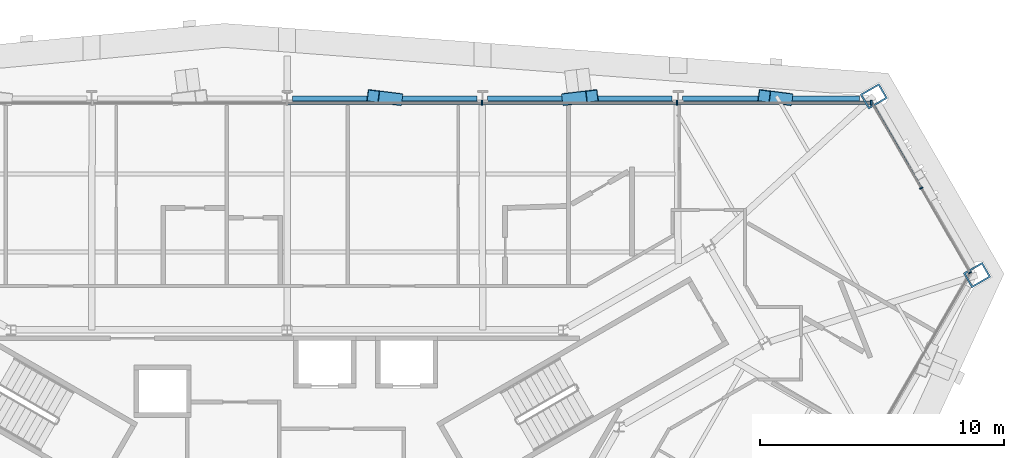
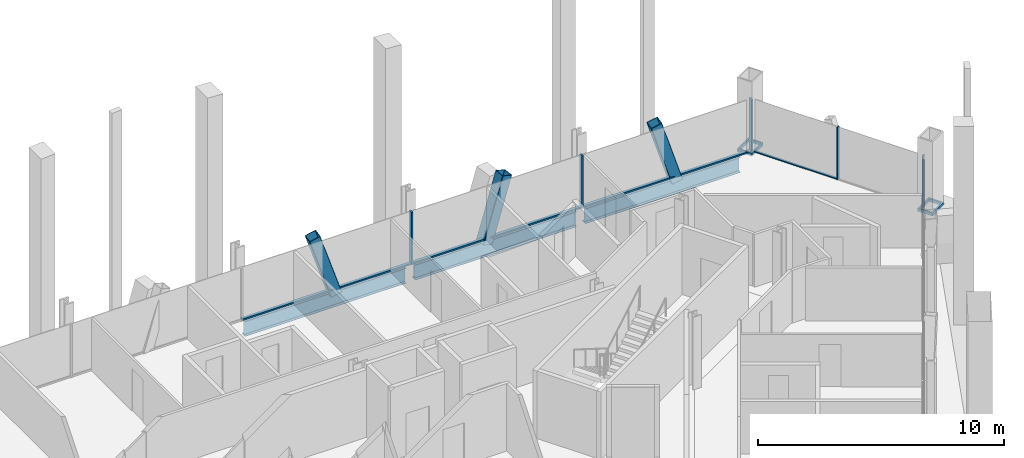
# One storey, part 8 of 16: 14 members, 3 beams, 2 elements without a shape of their own.
"""IFC4 building model written with IfcOpenShell, lengths in metres."""

from ifc_helpers import new_model, si_unit, direction, frame, origin, origin_2d, place, context, subcontext, project, spatial, rectangle, hollow_rectangle, i_section, extrude, material, material_profile, profile_set, type_object, element, aggregate, save


model = new_model("IFC4")

# Units and contexts
model_context = context("Model", 3, precision=1e-05, world=origin(), true_north=direction((0.0, 1.0)))
body_context = subcontext(model_context, "Body", "Model", "MODEL_VIEW")
ifc_project = project(units=[si_unit("LENGTHUNIT", "METRE"), si_unit("AREAUNIT", "SQUARE_METRE"), si_unit("VOLUMEUNIT", "CUBIC_METRE"), si_unit("PLANEANGLEUNIT", "RADIAN"), si_unit("MASSUNIT", "GRAM", prefix="KILO")], contexts=[model_context])

# Site, building, storey
site_placement = place(None, origin())
site = spatial("IfcSite", under=ifc_project, at=site_placement, CompositionType="ELEMENT")
building_placement = place(site_placement, origin())
building = spatial("IfcBuilding", under=site, at=building_placement, Name="Verrane Prism Tower", CompositionType="ELEMENT")
storey_placement = place(building_placement, frame((0.0, 0.0, 103.60009765625)))
storey = spatial("IfcBuildingStorey", under=building, at=storey_placement, Name="L24", CompositionType="ELEMENT", Elevation=103.60009765625)

# Members
ifc_material_1 = material(Name="Steel A1085 Grade A", Category="steel")
ifc_material_profile_1 = material_profile(ifc_material_1, hollow_rectangle(XDim=0.508056640625, YDim=0.508056640625, WallThickness=0.025390625, InnerFilletRadius=0.0126953125, OuterFilletRadius=0.0380859375, at=origin_2d()), Name="HSS20x20x1")
ifc_profile_set_1 = profile_set([ifc_material_profile_1], Name="Steel A1085 Grade A")
member_type_1 = type_object("IfcMemberType", Name="Facade brace HSS20x20x1", PredefinedType="BRACE", material=ifc_profile_set_1)
member_1_placement = place(storey_placement, frame((20.48046875, 18.67138671875, -0.24267578125), z_axis=(-0.289257893445, 0.037729290449, 0.956507381948), x_axis=(-0.129339184068, -0.991600411186, 0.0)))
element("IfcMember", 1, at=member_1_placement, inside=storey, type_object=member_type_1, Name="Facade brace N0 L24", PredefinedType="BRACE", context=body_context, shape_type="SweptSolid", body=[
    extrude(hollow_rectangle(XDim=0.508056640625, YDim=0.508056640625, WallThickness=0.025390625, InnerFilletRadius=0.0126953125, OuterFilletRadius=0.0380859375, at=origin_2d()), origin(), (0.0, 0.0, 1.0), 3.144775390625),
])
member_2_placement = place(storey_placement, frame((11.5224609375, 18.67138671875, -0.24267578125), z_axis=(0.310589004473, 0.037464943205, 0.949805689776), x_axis=(-0.119757347049, 0.99280319189, 0.0)))
element("IfcMember", 2, at=member_2_placement, inside=storey, type_object=member_type_1, Name="Facade brace N1 L24", PredefinedType="BRACE", context=body_context, shape_type="SweptSolid", body=[
    extrude(hollow_rectangle(XDim=0.508056640625, YDim=0.508056640625, WallThickness=0.025390625, InnerFilletRadius=0.0126953125, OuterFilletRadius=0.0380859375, at=origin_2d()), origin(), (0.0, 0.0, 1.0), 3.1669921875),
])
member_3_placement = place(storey_placement, frame((4.47705078125, 18.67138671875, -0.24267578125), z_axis=(-0.300014893604, 0.037598565831, 0.953193270782), x_axis=(-0.124349637206, -0.992238463136, 0.0)))
element("IfcMember", 3, at=member_3_placement, inside=storey, type_object=member_type_1, Name="Facade brace N2 L24", PredefinedType="BRACE", context=body_context, shape_type="SweptSolid", body=[
    extrude(hollow_rectangle(XDim=0.508056640625, YDim=0.508056640625, WallThickness=0.025390625, InnerFilletRadius=0.0126953125, OuterFilletRadius=0.0380859375, at=origin_2d()), origin(), (0.0, 0.0, 1.0), 3.15576171875),
])
ifc_material_2 = material(Name="Steel A572 Grade 50", Category="steel")
ifc_material_profile_2 = material_profile(ifc_material_2, hollow_rectangle(XDim=0.699951171875, YDim=0.89990234375, WallThickness=0.06494140625, at=origin_2d()), Name="BOX 900x700x65")
ifc_profile_set_2 = profile_set([ifc_material_profile_2], Name="Steel A572 Grade 50")
member_type_2 = type_object("IfcMemberType", Name="Kink node BOX 900x700x65", PredefinedType="COLLAR", material=ifc_profile_set_2)
for number, where, z_axis, x_axis, name in (
    (4, (28.301513671875, 11.449951171875, -0.0751953125), (0.0, 0.0, 1.0), (0.5, -0.866025403784, 0.0), "Kink node MC3 L24"),
    (5, (24.06591796875, 18.78271484375, -0.0751953125), (0.0, 0.0, 1.0), (0.5, -0.866025403784, 0.0), "Kink node MC3 L24"),
):
    element("IfcMember", number, at=place(storey_placement, frame(where, z_axis=z_axis, x_axis=x_axis)), inside=storey, type_object=member_type_2, Name=name, PredefinedType="COLLAR", context=body_context, shape_type="SweptSolid", body=[
        extrude(hollow_rectangle(XDim=0.699951171875, YDim=0.89990234375, WallThickness=0.06494140625, at=origin_2d()), origin(), (0.0, 0.0, 1.0), 0.150146484375),
    ])

# Curtain wall, members
ifc_material_3 = material(Name="Aluminium framed insulated glazing", Category="aluminium")
curtain_wall_type_1 = type_object("IfcCurtainWallType", Name="Curtain wall CW-C 4200 module", PredefinedType="NOTDEFINED", material=ifc_material_3)
curtain_wall_1_placement = place(storey_placement, origin())
curtain_wall_1 = element("IfcCurtainWall", 6, at=curtain_wall_1_placement, inside=storey, type_object=curtain_wall_type_1, Name="Glazed curtain wall north-east corner L24", PredefinedType="NOTDEFINED")
ifc_material_4 = material(Name="Aluminium alloy 6063-T6", Category="aluminium")
ifc_material_profile_3 = material_profile(ifc_material_4, rectangle(XDim=0.139892578125, YDim=0.050048828125, at=origin_2d()), Name="Mullion 50x140 aluminium")
ifc_profile_set_3 = profile_set([ifc_material_profile_3], Name="Aluminium alloy 6063-T6")
member_type_3 = type_object("IfcMemberType", Name="Mullion 50x140 aluminium", PredefinedType="MULLION", material=ifc_profile_set_3)
member_4_placement = place(storey_placement, frame((28.015380859375, 11.545654296875, 0.0), z_axis=(0.0, 0.0, 1.0), x_axis=(-0.866027890405, -0.499995693021, 0.0)))
member_4 = element("IfcMember", 7, at=member_4_placement, type_object=member_type_3, Name="CW24.1 mullion 1", PredefinedType="MULLION", context=body_context, shape_type="SweptSolid", body=[
    extrude(rectangle(XDim=0.139892578125, YDim=0.050048828125, at=origin_2d()), origin(), (0.0, 0.0, 1.0), 2.61279296875),
])
member_5_placement = place(storey_placement, frame((26.010986328125, 15.017578125, 0.0), z_axis=(0.0, 0.0, 1.0), x_axis=(-0.866027890405, -0.499995693021, 0.0)))
member_5 = element("IfcMember", 8, at=member_5_placement, type_object=member_type_3, Name="CW24.1 mullion 2", PredefinedType="MULLION", context=body_context, shape_type="SweptSolid", body=[
    extrude(rectangle(XDim=0.139892578125, YDim=0.050048828125, at=origin_2d()), origin(), (0.0, 0.0, 1.0), 2.61279296875),
])

ifc_material_5 = material(Name="Aluminium framed insulated glazing", Category="aluminium")
curtain_wall_type_2 = type_object("IfcCurtainWallType", Name="Curtain wall CW-A 8400 module", PredefinedType="NOTDEFINED", material=ifc_material_5)
curtain_wall_2_placement = place(storey_placement, origin())
curtain_wall_2 = element("IfcCurtainWall", 9, at=curtain_wall_2_placement, inside=storey, type_object=curtain_wall_type_2, Name="Glazed curtain wall north face L24", PredefinedType="NOTDEFINED")
ifc_material_6 = material(Name="Aluminium alloy 6063-T6", Category="aluminium")
ifc_material_profile_4 = material_profile(ifc_material_6, rectangle(XDim=0.199951171875, YDim=0.070068359375, at=origin_2d()), Name="Mullion 70x200 aluminium")
ifc_profile_set_4 = profile_set([ifc_material_profile_4], Name="Aluminium alloy 6063-T6")
member_type_4 = type_object("IfcMemberType", Name="Mullion 70x200 aluminium", PredefinedType="MULLION", material=ifc_profile_set_4)
member_6_placement = place(storey_placement, frame((23.958984375, 18.510986328125, 0.0), z_axis=(0.0, 0.0, 1.0), x_axis=(0.0, -1.0, 0.0)))
member_6 = element("IfcMember", 10, at=member_6_placement, type_object=member_type_4, Name="CW24.2 mullion 1", PredefinedType="MULLION", context=body_context, shape_type="SweptSolid", body=[
    extrude(rectangle(XDim=0.199951171875, YDim=0.070068359375, at=origin_2d()), origin(), (0.0, 0.0, 1.0), 2.61279296875),
])
member_7_placement = place(storey_placement, frame((15.99609375, 18.510986328125, 0.0), z_axis=(0.0, 0.0, 1.0), x_axis=(0.0, -1.0, 0.0)))
member_7 = element("IfcMember", 11, at=member_7_placement, type_object=member_type_4, Name="CW24.2 mullion 2", PredefinedType="MULLION", context=body_context, shape_type="SweptSolid", body=[
    extrude(rectangle(XDim=0.199951171875, YDim=0.070068359375, at=origin_2d()), origin(), (0.0, 0.0, 1.0), 2.61279296875),
])
member_8_placement = place(storey_placement, frame((7.998046875, 18.510986328125, 0.0), z_axis=(0.0, 0.0, 1.0), x_axis=(0.0, -1.0, 0.0)))
member_8 = element("IfcMember", 12, at=member_8_placement, type_object=member_type_4, Name="CW24.2 mullion 3", PredefinedType="MULLION", context=body_context, shape_type="SweptSolid", body=[
    extrude(rectangle(XDim=0.199951171875, YDim=0.070068359375, at=origin_2d()), origin(), (0.0, 0.0, 1.0), 2.61279296875),
])

# Beams
ifc_material_7 = material(Name="Steel A992", Category="steel")
ifc_material_profile_5 = material_profile(ifc_material_7, i_section(OverallWidth=0.2666015625, OverallDepth=0.7568359375, WebThickness=0.013916015625, FlangeThickness=0.019287109375, FilletRadius=0.0166015625, at=origin_2d()), Name="W30x108")
ifc_profile_set_5 = profile_set([ifc_material_profile_5], Name="Steel A992")
beam_type = type_object("IfcBeamType", Name="Spandrel beam W30x108", PredefinedType="SPANDREL", material=ifc_profile_set_5)
beam_1_placement = place(storey_placement, frame((23.48095703125, 18.67138671875, -0.53857421875), z_axis=(-1.0, 0.0, 0.0), x_axis=(0.0, -1.0, 0.0)))
element("IfcBeam", 13, at=beam_1_placement, inside=storey, type_object=beam_type, Name="Spandrel beam L24", PredefinedType="SPANDREL", context=body_context, shape_type="SweptSolid", body=[
    extrude(i_section(OverallWidth=0.2666015625, OverallDepth=0.7568359375, WebThickness=0.013916015625, FlangeThickness=0.019287109375, FilletRadius=0.0166015625, at=origin_2d()), origin(), (0.0, 0.0, 1.0), 7.27294921875),
])
beam_2_placement = place(storey_placement, frame((15.78369140625, 18.67138671875, -0.53857421875), z_axis=(-1.0, 0.0, 0.0), x_axis=(0.0, -1.0, 0.0)))
element("IfcBeam", 14, at=beam_2_placement, inside=storey, type_object=beam_type, Name="Spandrel beam L24", PredefinedType="SPANDREL", context=body_context, shape_type="SweptSolid", body=[
    extrude(i_section(OverallWidth=0.2666015625, OverallDepth=0.7568359375, WebThickness=0.013916015625, FlangeThickness=0.019287109375, FilletRadius=0.0166015625, at=origin_2d()), origin(), (0.0, 0.0, 1.0), 7.573486328125),
])
beam_3_placement = place(storey_placement, frame((7.785888671875, 18.67138671875, -0.53857421875), z_axis=(-1.0, 0.0, 0.0), x_axis=(0.0, -1.0, 0.0)))
element("IfcBeam", 15, at=beam_3_placement, inside=storey, type_object=beam_type, Name="Spandrel beam L24", PredefinedType="SPANDREL", context=body_context, shape_type="SweptSolid", body=[
    extrude(i_section(OverallWidth=0.2666015625, OverallDepth=0.7568359375, WebThickness=0.013916015625, FlangeThickness=0.019287109375, FilletRadius=0.0166015625, at=origin_2d()), origin(), (0.0, 0.0, 1.0), 7.57373046875),
])

# Member
ifc_material_8 = material(Name="Aluminium alloy 6063-T6", Category="aluminium")
ifc_material_profile_6 = material_profile(ifc_material_8, rectangle(XDim=0.10009765625, YDim=0.050048828125, at=origin_2d()), Name="Transom 50x100 aluminium")
ifc_profile_set_6 = profile_set([ifc_material_profile_6], Name="Aluminium alloy 6063-T6")
member_type_5 = type_object("IfcMemberType", Name="Transom 50x100 aluminium", PredefinedType="USERDEFINED", material=ifc_profile_set_6)
member_9_placement = place(storey_placement, frame((25.99853515625, 15.0390625, 0.02490234375), z_axis=(-0.499977246076, 0.86603854037, 0.0), x_axis=(-0.86603854037, -0.499977246076, 0.0)))
member_9 = element("IfcMember", 16, at=member_9_placement, type_object=member_type_5, Name="CW24.1 transom 2", ObjectType="TRANSOM", PredefinedType="USERDEFINED", context=body_context, shape_type="SweptSolid", body=[
    extrude(rectangle(XDim=0.10009765625, YDim=0.050048828125, at=origin_2d()), origin(), (0.0, 0.0, 1.0), 4.009033203125),
])

aggregate(curtain_wall_1, [member_4, member_5, member_9])

ifc_material_9 = material(Name="Aluminium alloy 6063-T6", Category="aluminium")
ifc_material_profile_7 = material_profile(ifc_material_9, rectangle(XDim=0.14990234375, YDim=0.070068359375, at=origin_2d()), Name="Transom 70x150 aluminium")
ifc_profile_set_7 = profile_set([ifc_material_profile_7], Name="Aluminium alloy 6063-T6")
member_type_6 = type_object("IfcMemberType", Name="Transom 70x150 aluminium", PredefinedType="USERDEFINED", material=ifc_profile_set_7)
member_10_placement = place(storey_placement, frame((23.924072265625, 18.510986328125, 0.034912109375), z_axis=(-1.0, 0.0, 0.0), x_axis=(0.0, -1.0, 0.0)))
member_10 = element("IfcMember", 17, at=member_10_placement, type_object=member_type_6, Name="CW24.2 transom 1", ObjectType="TRANSOM", PredefinedType="USERDEFINED", context=body_context, shape_type="SweptSolid", body=[
    extrude(rectangle(XDim=0.14990234375, YDim=0.070068359375, at=origin_2d()), origin(), (0.0, 0.0, 1.0), 7.89306640625),
])

member_11_placement = place(storey_placement, frame((15.961181640625, 18.510986328125, 0.034912109375), z_axis=(-1.0, 0.0, 0.0), x_axis=(0.0, -1.0, 0.0)))
member_11 = element("IfcMember", 18, at=member_11_placement, type_object=member_type_6, Name="CW24.2 transom 2", ObjectType="TRANSOM", PredefinedType="USERDEFINED", context=body_context, shape_type="SweptSolid", body=[
    extrude(rectangle(XDim=0.14990234375, YDim=0.070068359375, at=origin_2d()), origin(), (0.0, 0.0, 1.0), 7.92822265625),
])

member_12_placement = place(storey_placement, frame((7.963134765625, 18.510986328125, 0.034912109375), z_axis=(-1.0, 0.0, 0.0), x_axis=(0.0, -1.0, 0.0)))
member_12 = element("IfcMember", 19, at=member_12_placement, type_object=member_type_6, Name="CW24.2 transom 3", ObjectType="TRANSOM", PredefinedType="USERDEFINED", context=body_context, shape_type="SweptSolid", body=[
    extrude(rectangle(XDim=0.14990234375, YDim=0.070068359375, at=origin_2d()), origin(), (0.0, 0.0, 1.0), 7.92822265625),
])

aggregate(curtain_wall_2, [member_6, member_7, member_8, member_10, member_11, member_12])

save(model, "model.ifc")
